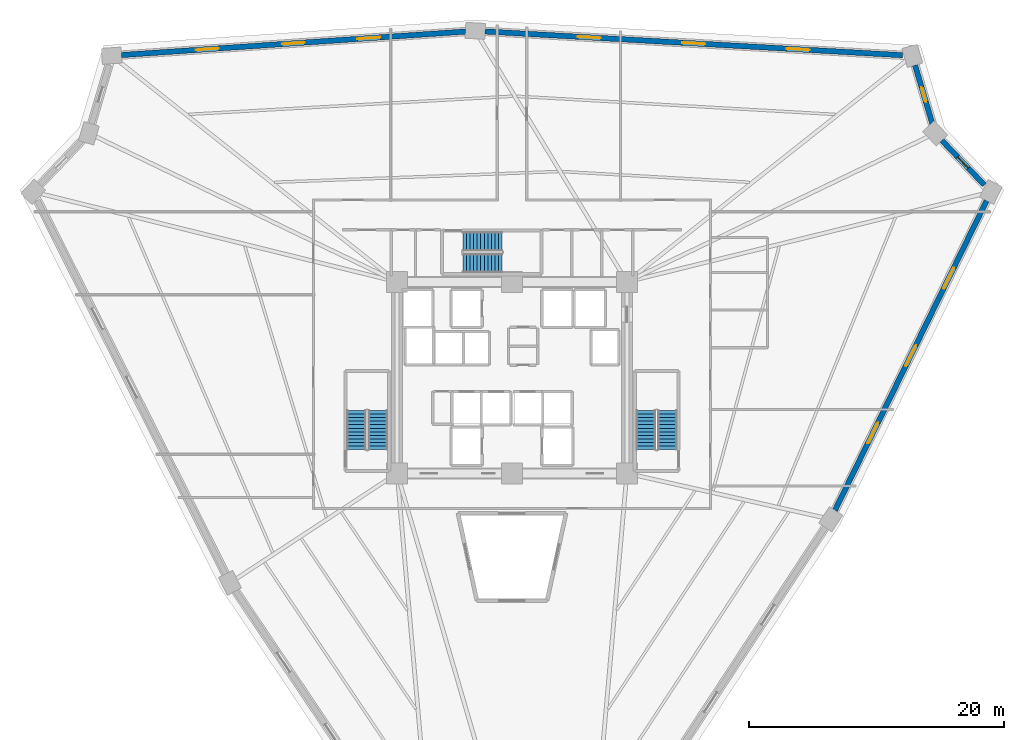
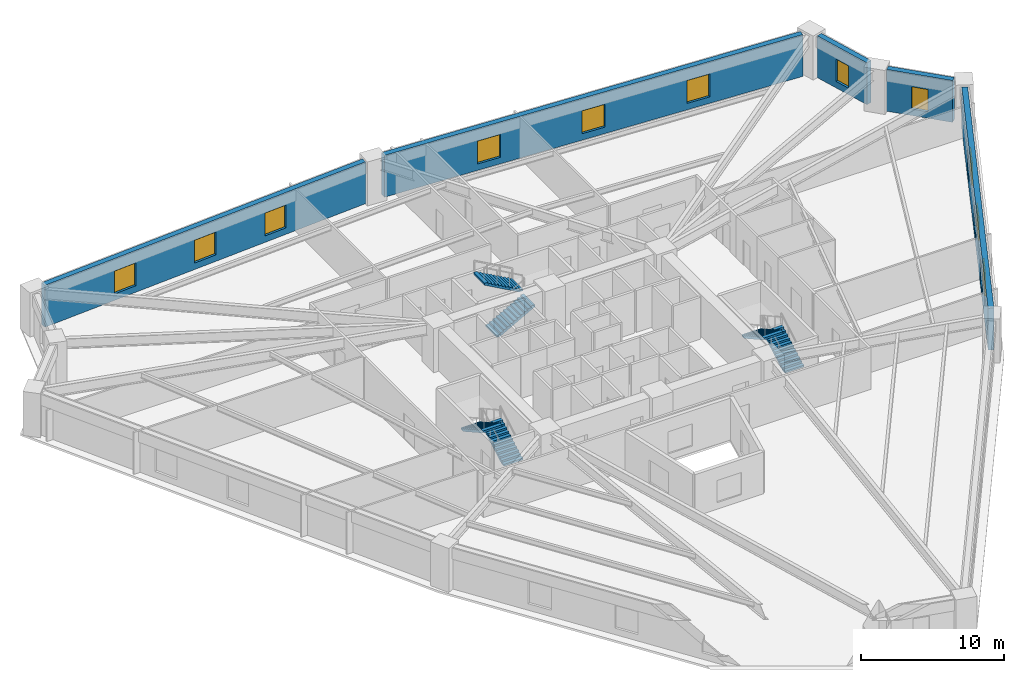
# One storey, part 7 of 8: 11 windows, 6 stair flights, 5 walls, 11 openings, 3 elements without a shape of their own.
"""IFC4 building model written with IfcOpenShell, lengths in metres."""

import ifcopenshell
import ifcopenshell.guid

model = None  # the IFC model being written
_history = None  # IfcOwnerHistory: only IFC2X3 demands one
_inside = {}  # id of a spatial element -> (the spatial element, [elements in it])
_under = {}  # id of a project, library or spatial element -> (it, [spatial elements below it])
_declared = {}  # id of a project -> (the project, [libraries it declares])
_typed = {}  # id of a type object -> (the type object, [elements of that type])
_made_of = {}  # id of a material, layer set ... -> (it, [elements and type objects made of it])


def new_model(schema):
    """Start an empty IFC model of exactly this schema.

    Asked for "IFC4X3", IfcOpenShell would pick the latest addendum, in which some entities
    have other attributes; the version numbers below select the first issue.
    IFC2X3 requires an IfcOwnerHistory on every rooted entity: one is made here for all.
    """
    global model, _history
    if schema == "IFC4X3":
        model = ifcopenshell.file(schema_version=(4, 3, 0, 0))
    else:
        model = ifcopenshell.file(schema=schema)
    _inside.clear()
    _under.clear()
    _declared.clear()
    _typed.clear()
    _made_of.clear()
    _history = None
    if model.schema == "IFC2X3":
        org = make("IfcOrganization", Name="unknown")
        user = make(
            "IfcPersonAndOrganization",
            ThePerson=make("IfcPerson", FamilyName="unknown"),
            TheOrganization=org,
        )
        app = make(
            "IfcApplication",
            ApplicationDeveloper=org,
            Version="unknown",
            ApplicationFullName="unknown",
            ApplicationIdentifier="unknown",
        )
        _history = make(
            "IfcOwnerHistory",
            OwningUser=user,
            OwningApplication=app,
            ChangeAction="ADDED",
            CreationDate=0,
        )
    return model


def make(cls, **values):
    """One entity of the class cls with the attributes given. An attribute that is None is left unset."""
    return model.create_entity(
        cls, **{name: value for name, value in values.items() if value is not None}
    )


def rooted(cls, **values):
    """An entity with a GlobalId (a new one), such as an element, a storey or a relation."""
    return make(cls, GlobalId=ifcopenshell.guid.new(), OwnerHistory=_history, **values)


def si_unit(unit_type, name, prefix=None):
    """IfcSIUnit, for example si_unit("LENGTHUNIT", "METRE", prefix="MILLI")."""
    return make("IfcSIUnit", UnitType=unit_type, Prefix=prefix, Name=name)


def assignment(units):
    """IfcUnitAssignment: the units of a project."""
    return None if units is None else make("IfcUnitAssignment", Units=units)


def point(xyz):
    """IfcCartesianPoint."""
    return None if xyz is None else make("IfcCartesianPoint", Coordinates=xyz)


def direction(xyz):
    """IfcDirection."""
    return None if xyz is None else make("IfcDirection", DirectionRatios=xyz)


def frame(location, z_axis=None, x_axis=None):
    """IfcAxis2Placement3D, a coordinate frame: its origin and axes. An axis left out is left unset."""
    return make(
        "IfcAxis2Placement3D",
        Location=point(location),
        Axis=direction(z_axis),
        RefDirection=direction(x_axis),
    )


def frame_2d(location, x_axis=None):
    """IfcAxis2Placement2D, a coordinate frame in the plane: its origin and x axis."""
    return make(
        "IfcAxis2Placement2D", Location=point(location), RefDirection=direction(x_axis)
    )


def origin():
    """The frame at (0, 0, 0) with its axes left unset."""
    return frame((0.0, 0.0, 0.0))


def place(relative_to, where):
    """IfcLocalPlacement: puts the frame where relative to a parent placement (None: the world)."""
    return make(
        "IfcLocalPlacement", PlacementRelTo=relative_to, RelativePlacement=where
    )


def context(
    kind, dimensions, precision=None, world=None, true_north=None, identifier=None
):
    """IfcGeometricRepresentationContext, for example the 3D "Model" context."""
    return make(
        "IfcGeometricRepresentationContext",
        ContextIdentifier=identifier,
        ContextType=kind,
        CoordinateSpaceDimension=dimensions,
        Precision=precision,
        WorldCoordinateSystem=world,
        TrueNorth=true_north,
    )


def subcontext(parent, identifier, kind, view, scale=None):
    """IfcGeometricRepresentationSubContext, for example "Body" below "Model"."""
    return make(
        "IfcGeometricRepresentationSubContext",
        ContextIdentifier=identifier,
        ContextType=kind,
        ParentContext=parent,
        TargetScale=scale,
        TargetView=view,
    )


def project(units=None, contexts=None):
    """IfcProject with its units and contexts."""
    return rooted(
        "IfcProject",
        Name="project",
        RepresentationContexts=contexts,
        UnitsInContext=assignment(units),
    )


def spatial(cls, under=None, at=None, **own):
    """A site, building, storey or space (cls), placed at a placement, below another one or the project."""
    s = rooted(cls, ObjectPlacement=at, **own)
    if under is not None:
        _under.setdefault(under.id(), (under, []))[1].append(s)
    return s


def polyline(points):
    """IfcPolyline through the points."""
    return make("IfcPolyline", Points=[point(p) for p in points])


def profile(cls, at=None, kind="AREA", **sizes):
    """A parametric profile (cls). Its sizes go by their IFC names, for example OverallWidth=200.0."""
    return make(cls, ProfileType=kind, Position=at, **sizes)


def rectangle(**sizes):
    """IfcRectangleProfileDef."""
    return profile("IfcRectangleProfileDef", **sizes)


def outline(outer, holes=None, kind="AREA"):
    """IfcArbitraryClosedProfileDef: a profile drawn as a closed curve; with holes, ...WithVoids."""
    if holes is None:
        return make("IfcArbitraryClosedProfileDef", ProfileType=kind, OuterCurve=outer)
    return make(
        "IfcArbitraryProfileDefWithVoids",
        ProfileType=kind,
        OuterCurve=outer,
        InnerCurves=holes,
    )


def extrude(swept, where, along, depth):
    """IfcExtrudedAreaSolid: the profile swept, set in the frame where, extruded along a direction by depth."""
    return make(
        "IfcExtrudedAreaSolid",
        SweptArea=swept,
        Position=where,
        ExtrudedDirection=direction(along),
        Depth=depth,
    )


def shape(context_of_items, identifier, shape_type, items):
    """IfcShapeRepresentation: the items that make up one representation, for example the "Body"."""
    return make(
        "IfcShapeRepresentation",
        ContextOfItems=context_of_items,
        RepresentationIdentifier=identifier,
        RepresentationType=shape_type,
        Items=items,
    )


def source(mapping_origin, context_of_items, identifier, shape_type, items):
    """IfcRepresentationMap: a shape defined once, which mapped items show again and again."""
    return make(
        "IfcRepresentationMap",
        MappingOrigin=mapping_origin,
        MappedRepresentation=shape(context_of_items, identifier, shape_type, items),
    )


def transform(
    local_origin,
    x_axis=None,
    y_axis=None,
    z_axis=None,
    scale=None,
    scale2=None,
    scale3=None,
    uniform=True,
):
    """IfcCartesianTransformationOperator3D, or its non-uniform kind. x_axis, y_axis, z_axis: its Axis1, 2, 3."""
    if uniform:
        return make(
            "IfcCartesianTransformationOperator3D",
            Axis1=direction(x_axis),
            Axis2=direction(y_axis),
            LocalOrigin=point(local_origin),
            Scale=scale,
            Axis3=direction(z_axis),
        )
    return make(
        "IfcCartesianTransformationOperator3DnonUniform",
        Axis1=direction(x_axis),
        Axis2=direction(y_axis),
        LocalOrigin=point(local_origin),
        Scale=scale,
        Axis3=direction(z_axis),
        Scale2=scale2,
        Scale3=scale3,
    )


def mapped(mapping_source, mapping_target):
    """IfcMappedItem: shows the shape of a source again, moved by a transform."""
    return make(
        "IfcMappedItem", MappingSource=mapping_source, MappingTarget=mapping_target
    )


def material(Name=None, Category=None):
    """IfcMaterial."""
    return make("IfcMaterial", Name=Name, Category=Category)


def layer(
    of_material, thickness, ventilated=None, Name=None, Category=None, Priority=None
):
    """IfcMaterialLayer: one layer of a wall or slab, of a material (None: an air gap)."""
    return make(
        "IfcMaterialLayer",
        Material=of_material,
        LayerThickness=thickness,
        IsVentilated=ventilated,
        Name=Name,
        Category=Category,
        Priority=Priority,
    )


def layer_set(layers, Name=None):
    """IfcMaterialLayerSet."""
    return make("IfcMaterialLayerSet", MaterialLayers=layers, LayerSetName=Name)


def made_of(thing, what):
    """Note that an element or type object is made of a material, layer set ...; save() writes the relation."""
    if what is not None:
        _made_of.setdefault(what.id(), (what, []))[1].append(thing)
    return thing


def type_object(cls, material=None, **own):
    """A type object (cls), such as IfcWallType, which elements share."""
    return made_of(rooted(cls, **own), material)


def element(
    cls,
    number,
    at=None,
    inside=None,
    cuts=None,
    type_object=None,
    material=None,
    context=None,
    identifier="Body",
    shape_type=None,
    held_by="IfcProductDefinitionShape",
    body=None,
    shapes=None,
    **own,
):
    """One element of the class cls, such as IfcWall. Its Tag is "e" and its number.

    at: its placement. inside: the storey or other place that contains it. cuts: it is an
    opening in that element (IfcRelVoidsElement). A single representation is given by context,
    identifier, shape_type and body (its items); several are given by shapes. held_by: the class
    of the entity that holds the representations. save() writes the other relations.
    """
    e = rooted(cls, Tag="e%d" % number, ObjectPlacement=at, **own)
    if body is not None:
        shapes = [shape(context, identifier, shape_type, body)]
    if shapes is not None:
        e.Representation = make(held_by, Representations=shapes)
    if inside is not None:
        _inside.setdefault(inside.id(), (inside, []))[1].append(e)
    if cuts is not None:
        rooted(
            "IfcRelVoidsElement", RelatingBuildingElement=cuts, RelatedOpeningElement=e
        )
    if type_object is not None:
        _typed.setdefault(type_object.id(), (type_object, []))[1].append(e)
    return made_of(e, material)


def fill(opening, filler):
    """IfcRelFillsElement: the door or window that sits in an opening."""
    return rooted(
        "IfcRelFillsElement",
        RelatingOpeningElement=opening,
        RelatedBuildingElement=filler,
    )


def aggregate(whole, parts):
    """IfcRelAggregates: a whole, such as a stair, and the parts it consists of."""
    return rooted("IfcRelAggregates", RelatingObject=whole, RelatedObjects=parts)


def save(model, path):
    """Write the relations noted so far, then the file.

    IfcRelAggregates (storeys below a building ...), IfcRelContainedInSpatialStructure (elements
    in a storey), IfcRelDefinesByType, IfcRelAssociatesMaterial and IfcRelDeclares: one each for
    every whole, place, type object, material and project.
    """
    for whole, parts in _under.values():
        aggregate(whole, parts)
    for where, things in _inside.values():
        rooted(
            "IfcRelContainedInSpatialStructure",
            RelatedElements=things,
            RelatingStructure=where,
        )
    for kind, things in _typed.values():
        rooted("IfcRelDefinesByType", RelatedObjects=things, RelatingType=kind)
    for what, things in _made_of.values():
        rooted("IfcRelAssociatesMaterial", RelatedObjects=things, RelatingMaterial=what)
    for by, libraries in _declared.values():
        rooted("IfcRelDeclares", RelatingContext=by, RelatedDefinitions=libraries)
    model.write(path)


model = new_model("IFC4")

# Units and contexts
model_context = context("Model", 3, precision=1e-05, world=origin(), true_north=direction((0.0, 1.0)))
body_context = subcontext(model_context, "Body", "Model", "MODEL_VIEW")
ifc_project = project(units=[si_unit("LENGTHUNIT", "METRE"), si_unit("AREAUNIT", "SQUARE_METRE"), si_unit("VOLUMEUNIT", "CUBIC_METRE"), si_unit("PLANEANGLEUNIT", "RADIAN"), si_unit("MASSUNIT", "GRAM", prefix="KILO")], contexts=[model_context])

# Site, building, storey
site_placement = place(None, origin())
site = spatial("IfcSite", under=ifc_project, at=site_placement, CompositionType="ELEMENT")
building_placement = place(site_placement, origin())
building = spatial("IfcBuilding", under=site, at=building_placement, Name="Liaohun Quay Tower", CompositionType="ELEMENT")
storey_placement = place(building_placement, frame((0.0, 0.0, 85.5)))
storey = spatial("IfcBuildingStorey", under=building, at=storey_placement, Name="L22", CompositionType="ELEMENT", Elevation=85.5)

# Wall, openings, windows
ifc_material_1 = material(Name="Precast concrete C50 insulated sandwich", Category="concrete")
ifc_layer = layer(ifc_material_1, 0.419921875, Name="Precast concrete C50 insulated sandwich", Category="concrete")
ifc_layer_set = layer_set([ifc_layer], Name="Precast concrete C50 insulated sandwich")
wall_type = type_object("IfcWallType", Name="WAL-EXT-Z12", PredefinedType="SOLIDWALL", material=ifc_layer_set)
wall_1_placement = place(storey_placement, frame((85.302978515625, 43.593994140625, 0.0), z_axis=(0.0, 0.0, 1.0), x_axis=(0.43984083091, 0.898075744837, 0.0)))
wall_1 = element("IfcWall", 1, at=wall_1_placement, inside=storey, type_object=wall_type, Name="L22 Brutalist Precast Pier Wall 03", PredefinedType="SOLIDWALL", context=body_context, shape_type="SweptSolid", body=[
    extrude(rectangle(XDim=27.0234375, YDim=0.419921875, at=frame_2d((13.51171875, 0.0))), origin(), (0.0, 0.0, 1.0), 3.570068359375),
])
shared_shape_1 = source(origin(), body_context, "Body", "SweptSolid", [
    extrude(rectangle(XDim=1.800048828125, YDim=1.949951171875, at=frame_2d((0.89990234375, 0.97509765625))), frame((0.0, 0.219970703125, 0.0), z_axis=(0.0, -1.0, 0.0), x_axis=(1.0, 0.0, 0.0)), (0.0, 0.0, 1.0), 0.43994140625),
])
opening_1_placement = place(wall_1_placement, frame((5.85595703125, 0.0, 0.550048828125)))
opening_1 = element("IfcOpeningElement", 2, at=opening_1_placement, cuts=wall_1, Name="Opening W01", PredefinedType="OPENING", context=body_context, shape_type="MappedRepresentation", body=[
    mapped(shared_shape_1, transform((0.0, 0.0, 0.0), x_axis=(1.0, 0.0, 0.0), y_axis=(0.0, 1.0, 0.0), z_axis=(0.0, 0.0, 1.0), scale=1.0)),
])
opening_2_placement = place(wall_1_placement, frame((12.612060546875, 0.0, 0.550048828125)))
opening_2 = element("IfcOpeningElement", 3, at=opening_2_placement, cuts=wall_1, Name="Opening W01", PredefinedType="OPENING", context=body_context, shape_type="MappedRepresentation", body=[
    mapped(shared_shape_1, transform((0.0, 0.0, 0.0), x_axis=(1.0, 0.0, 0.0), y_axis=(0.0, 1.0, 0.0), z_axis=(0.0, 0.0, 1.0), scale=1.0)),
])
opening_3_placement = place(wall_1_placement, frame((19.367919921875, 0.0, 0.550048828125)))
opening_3 = element("IfcOpeningElement", 4, at=opening_3_placement, cuts=wall_1, Name="Opening W01", PredefinedType="OPENING", context=body_context, shape_type="MappedRepresentation", body=[
    mapped(shared_shape_1, transform((0.0, 0.0, 0.0), x_axis=(1.0, 0.0, 0.0), y_axis=(0.0, 1.0, 0.0), z_axis=(0.0, 0.0, 1.0), scale=1.0)),
])
ifc_material_2 = material(Name="Triple Low-E argon glazing in thermally broken aluminium", Category="aluminium")
window_type_1 = type_object("IfcWindowType", Name="WIN-PUN-Z1", PartitioningType="DOUBLE_PANEL_VERTICAL", PredefinedType="WINDOW", material=ifc_material_2)
shared_shape_2 = source(origin(), body_context, "Body", "SweptSolid", [
    extrude(rectangle(XDim=1.800048828125, YDim=1.949951171875, at=frame_2d((0.89990234375, 0.97509765625))), frame((0.0, 0.030029296875, 0.0), z_axis=(0.0, -1.0, 0.0), x_axis=(1.0, 0.0, 0.0)), (0.0, 0.0, 1.0), 0.06005859375),
])
window_1_placement = place(opening_1_placement, origin())
window_1 = element("IfcWindow", 5, at=window_1_placement, inside=storey, type_object=window_type_1, Name="L22 Recessed Cold-Climate Punched Window 03-1", OverallHeight=1.949951171875, OverallWidth=1.800048828125, PartitioningType="DOUBLE_PANEL_VERTICAL", PredefinedType="WINDOW", context=body_context, shape_type="MappedRepresentation", body=[
    mapped(shared_shape_2, transform((0.0, 0.0, 0.0), x_axis=(1.0, 0.0, 0.0), y_axis=(0.0, 1.0, 0.0), z_axis=(0.0, 0.0, 1.0), scale=1.0)),
])
fill(opening_1, window_1)
window_2_placement = place(opening_2_placement, origin())
window_2 = element("IfcWindow", 6, at=window_2_placement, inside=storey, type_object=window_type_1, Name="L22 Recessed Cold-Climate Punched Window 03-2", OverallHeight=1.949951171875, OverallWidth=1.800048828125, PartitioningType="DOUBLE_PANEL_VERTICAL", PredefinedType="WINDOW", context=body_context, shape_type="MappedRepresentation", body=[
    mapped(shared_shape_2, transform((0.0, 0.0, 0.0), x_axis=(1.0, 0.0, 0.0), y_axis=(0.0, 1.0, 0.0), z_axis=(0.0, 0.0, 1.0), scale=1.0)),
])
fill(opening_2, window_2)
window_3_placement = place(opening_3_placement, origin())
window_3 = element("IfcWindow", 7, at=window_3_placement, inside=storey, type_object=window_type_1, Name="L22 Recessed Cold-Climate Punched Window 03-3", OverallHeight=1.949951171875, OverallWidth=1.800048828125, PartitioningType="DOUBLE_PANEL_VERTICAL", PredefinedType="WINDOW", context=body_context, shape_type="MappedRepresentation", body=[
    mapped(shared_shape_2, transform((0.0, 0.0, 0.0), x_axis=(1.0, 0.0, 0.0), y_axis=(0.0, 1.0, 0.0), z_axis=(0.0, 0.0, 1.0), scale=1.0)),
])
fill(opening_3, window_3)

# Wall, opening, window
wall_2_placement = place(storey_placement, frame((96.998046875, 69.10400390625, 0.0), z_axis=(0.0, 0.0, 1.0), x_axis=(-0.68945615516, 0.724327419136, 0.0)))
wall_2 = element("IfcWall", 8, at=wall_2_placement, inside=storey, type_object=wall_type, Name="L22 Brutalist Precast Pier Wall 04", PredefinedType="SOLIDWALL", context=body_context, shape_type="SweptSolid", body=[
    extrude(rectangle(XDim=4.809814453125, YDim=0.419921875, at=frame_2d((2.40478515625, 0.0))), origin(), (0.0, 0.0, 1.0), 3.570068359375),
])
shared_shape_3 = source(origin(), body_context, "Body", "SweptSolid", [
    extrude(rectangle(XDim=1.199951171875, YDim=1.89990234375, at=frame_2d((0.60009765625, 0.949951171875))), frame((0.0, 0.219970703125, 0.0), z_axis=(0.0, -1.0, 0.0), x_axis=(1.0, 0.0, 0.0)), (0.0, 0.0, 1.0), 0.43994140625),
])
opening_4_placement = place(wall_2_placement, frame((1.804931640625, 0.0, 0.550048828125)))
opening_4 = element("IfcOpeningElement", 9, at=opening_4_placement, cuts=wall_2, Name="Opening W05", PredefinedType="OPENING", context=body_context, shape_type="MappedRepresentation", body=[
    mapped(shared_shape_3, transform((0.0, 0.0, 0.0), x_axis=(1.0, 0.0, 0.0), y_axis=(0.0, 1.0, 0.0), z_axis=(0.0, 0.0, 1.0), scale=1.0)),
])
ifc_material_3 = material(Name="Triple Low-E corner notch glazing", Category="glass")
window_type_2 = type_object("IfcWindowType", Name="WIN-NOTCH", PartitioningType="SINGLE_PANEL", PredefinedType="WINDOW", material=ifc_material_3)
shared_shape_4 = source(origin(), body_context, "Body", "SweptSolid", [
    extrude(rectangle(XDim=1.199951171875, YDim=1.89990234375, at=frame_2d((0.60009765625, 0.949951171875))), frame((0.0, 0.030029296875, 0.0), z_axis=(0.0, -1.0, 0.0), x_axis=(1.0, 0.0, 0.0)), (0.0, 0.0, 1.0), 0.06005859375),
])
window_4_placement = place(opening_4_placement, origin())
window_4 = element("IfcWindow", 10, at=window_4_placement, inside=storey, type_object=window_type_2, Name="L22 Corner Notch Window W05-04", OverallHeight=1.89990234375, OverallWidth=1.199951171875, PartitioningType="SINGLE_PANEL", PredefinedType="WINDOW", context=body_context, shape_type="MappedRepresentation", body=[
    mapped(shared_shape_4, transform((0.0, 0.0, 0.0), x_axis=(1.0, 0.0, 0.0), y_axis=(0.0, 1.0, 0.0), z_axis=(0.0, 0.0, 1.0), scale=1.0)),
])
fill(opening_4, window_4)

wall_3_placement = place(storey_placement, frame((92.93896484375, 73.8759765625, 0.0), z_axis=(0.0, 0.0, 1.0), x_axis=(-0.28283801754, 0.959167689111, 0.0)))
wall_3 = element("IfcWall", 11, at=wall_3_placement, inside=storey, type_object=wall_type, Name="L22 Brutalist Precast Pier Wall 05", PredefinedType="SOLIDWALL", context=body_context, shape_type="SweptSolid", body=[
    extrude(rectangle(XDim=4.801025390625, YDim=0.419921875, at=frame_2d((2.400390625, 0.0))), origin(), (0.0, 0.0, 1.0), 3.570068359375),
])
opening_5_placement = place(wall_3_placement, frame((1.801025390625, 0.0, 0.550048828125)))
opening_5 = element("IfcOpeningElement", 12, at=opening_5_placement, cuts=wall_3, Name="Opening W05", PredefinedType="OPENING", context=body_context, shape_type="MappedRepresentation", body=[
    mapped(shared_shape_3, transform((0.0, 0.0, 0.0), x_axis=(1.0, 0.0, 0.0), y_axis=(0.0, 1.0, 0.0), z_axis=(0.0, 0.0, 1.0), scale=1.0)),
])
window_5_placement = place(opening_5_placement, origin())
window_5 = element("IfcWindow", 13, at=window_5_placement, inside=storey, type_object=window_type_2, Name="L22 Corner Notch Window W05-05", OverallHeight=1.89990234375, OverallWidth=1.199951171875, PartitioningType="SINGLE_PANEL", PredefinedType="WINDOW", context=body_context, shape_type="MappedRepresentation", body=[
    mapped(shared_shape_4, transform((0.0, 0.0, 0.0), x_axis=(1.0, 0.0, 0.0), y_axis=(0.0, 1.0, 0.0), z_axis=(0.0, 0.0, 1.0), scale=1.0)),
])
fill(opening_5, window_5)

# Wall, openings, windows
wall_4_placement = place(storey_placement, frame((90.60107421875, 79.259033203125, 0.0), z_axis=(0.0, 0.0, 1.0), x_axis=(-0.99837885552, 0.056918018682, 0.0)))
wall_4 = element("IfcWall", 14, at=wall_4_placement, inside=storey, type_object=wall_type, Name="L22 Brutalist Precast Pier Wall 06", PredefinedType="SOLIDWALL", context=body_context, shape_type="SweptSolid", body=[
    extrude(rectangle(XDim=32.766357421875, YDim=0.419921875, at=frame_2d((16.38330078125, 0.0))), origin(), (0.0, 0.0, 1.0), 3.570068359375),
])
opening_6_placement = place(wall_4_placement, frame((7.2919921875, 0.0, 0.550048828125)))
opening_6 = element("IfcOpeningElement", 15, at=opening_6_placement, cuts=wall_4, Name="Opening W01", PredefinedType="OPENING", context=body_context, shape_type="MappedRepresentation", body=[
    mapped(shared_shape_1, transform((0.0, 0.0, 0.0), x_axis=(1.0, 0.0, 0.0), y_axis=(0.0, 1.0, 0.0), z_axis=(0.0, 0.0, 1.0), scale=1.0)),
])
opening_7_placement = place(wall_4_placement, frame((15.48291015625, 0.0, 0.550048828125)))
opening_7 = element("IfcOpeningElement", 16, at=opening_7_placement, cuts=wall_4, Name="Opening W01", PredefinedType="OPENING", context=body_context, shape_type="MappedRepresentation", body=[
    mapped(shared_shape_1, transform((0.0, 0.0, 0.0), x_axis=(1.0, 0.0, 0.0), y_axis=(0.0, 1.0, 0.0), z_axis=(0.0, 0.0, 1.0), scale=1.0)),
])
opening_8_placement = place(wall_4_placement, frame((23.675048828125, 0.0, 0.550048828125)))
opening_8 = element("IfcOpeningElement", 17, at=opening_8_placement, cuts=wall_4, Name="Opening W01", PredefinedType="OPENING", context=body_context, shape_type="MappedRepresentation", body=[
    mapped(shared_shape_1, transform((0.0, 0.0, 0.0), x_axis=(1.0, 0.0, 0.0), y_axis=(0.0, 1.0, 0.0), z_axis=(0.0, 0.0, 1.0), scale=1.0)),
])
window_6_placement = place(opening_6_placement, origin())
window_6 = element("IfcWindow", 18, at=window_6_placement, inside=storey, type_object=window_type_1, Name="L22 Recessed Cold-Climate Punched Window 06-1", OverallHeight=1.949951171875, OverallWidth=1.800048828125, PartitioningType="DOUBLE_PANEL_VERTICAL", PredefinedType="WINDOW", context=body_context, shape_type="MappedRepresentation", body=[
    mapped(shared_shape_2, transform((0.0, 0.0, 0.0), x_axis=(1.0, 0.0, 0.0), y_axis=(0.0, 1.0, 0.0), z_axis=(0.0, 0.0, 1.0), scale=1.0)),
])
fill(opening_6, window_6)
window_7_placement = place(opening_7_placement, origin())
window_7 = element("IfcWindow", 19, at=window_7_placement, inside=storey, type_object=window_type_1, Name="L22 Recessed Cold-Climate Punched Window 06-2", OverallHeight=1.949951171875, OverallWidth=1.800048828125, PartitioningType="DOUBLE_PANEL_VERTICAL", PredefinedType="WINDOW", context=body_context, shape_type="MappedRepresentation", body=[
    mapped(shared_shape_2, transform((0.0, 0.0, 0.0), x_axis=(1.0, 0.0, 0.0), y_axis=(0.0, 1.0, 0.0), z_axis=(0.0, 0.0, 1.0), scale=1.0)),
])
fill(opening_7, window_7)
window_8_placement = place(opening_8_placement, origin())
window_8 = element("IfcWindow", 20, at=window_8_placement, inside=storey, type_object=window_type_1, Name="L22 Recessed Cold-Climate Punched Window 06-3", OverallHeight=1.949951171875, OverallWidth=1.800048828125, PartitioningType="DOUBLE_PANEL_VERTICAL", PredefinedType="WINDOW", context=body_context, shape_type="MappedRepresentation", body=[
    mapped(shared_shape_2, transform((0.0, 0.0, 0.0), x_axis=(1.0, 0.0, 0.0), y_axis=(0.0, 1.0, 0.0), z_axis=(0.0, 0.0, 1.0), scale=1.0)),
])
fill(opening_8, window_8)

wall_5_placement = place(storey_placement, frame((56.361083984375, 81.115966796875, 0.0), z_axis=(0.0, 0.0, 1.0), x_axis=(-0.997674193577, -0.068163065302, 0.0)))
wall_5 = element("IfcWall", 21, at=wall_5_placement, inside=storey, type_object=wall_type, Name="L22 Brutalist Precast Pier Wall 07", PredefinedType="SOLIDWALL", context=body_context, shape_type="SweptSolid", body=[
    extrude(rectangle(XDim=27.02392578125, YDim=0.419921875, at=frame_2d((13.511962890625, 0.0))), origin(), (0.0, 0.0, 1.0), 3.570068359375),
])
opening_9_placement = place(wall_5_placement, frame((6.7060546875, 0.0, 0.550048828125)))
opening_9 = element("IfcOpeningElement", 22, at=opening_9_placement, cuts=wall_5, Name="Opening W01", PredefinedType="OPENING", context=body_context, shape_type="MappedRepresentation", body=[
    mapped(shared_shape_1, transform((0.0, 0.0, 0.0), x_axis=(1.0, 0.0, 0.0), y_axis=(0.0, 1.0, 0.0), z_axis=(0.0, 0.0, 1.0), scale=1.0)),
])
opening_10_placement = place(wall_5_placement, frame((12.612060546875, 0.0, 0.550048828125)))
opening_10 = element("IfcOpeningElement", 23, at=opening_10_placement, cuts=wall_5, Name="Opening W01", PredefinedType="OPENING", context=body_context, shape_type="MappedRepresentation", body=[
    mapped(shared_shape_1, transform((0.0, 0.0, 0.0), x_axis=(1.0, 0.0, 0.0), y_axis=(0.0, 1.0, 0.0), z_axis=(0.0, 0.0, 1.0), scale=1.0)),
])
opening_11_placement = place(wall_5_placement, frame((19.367919921875, 0.0, 0.550048828125)))
opening_11 = element("IfcOpeningElement", 24, at=opening_11_placement, cuts=wall_5, Name="Opening W01", PredefinedType="OPENING", context=body_context, shape_type="MappedRepresentation", body=[
    mapped(shared_shape_1, transform((0.0, 0.0, 0.0), x_axis=(1.0, 0.0, 0.0), y_axis=(0.0, 1.0, 0.0), z_axis=(0.0, 0.0, 1.0), scale=1.0)),
])
window_9_placement = place(opening_9_placement, origin())
window_9 = element("IfcWindow", 25, at=window_9_placement, inside=storey, type_object=window_type_1, Name="L22 Recessed Cold-Climate Punched Window 07-1", OverallHeight=1.949951171875, OverallWidth=1.800048828125, PartitioningType="DOUBLE_PANEL_VERTICAL", PredefinedType="WINDOW", context=body_context, shape_type="MappedRepresentation", body=[
    mapped(shared_shape_2, transform((0.0, 0.0, 0.0), x_axis=(1.0, 0.0, 0.0), y_axis=(0.0, 1.0, 0.0), z_axis=(0.0, 0.0, 1.0), scale=1.0)),
])
fill(opening_9, window_9)
window_10_placement = place(opening_10_placement, origin())
window_10 = element("IfcWindow", 26, at=window_10_placement, inside=storey, type_object=window_type_1, Name="L22 Recessed Cold-Climate Punched Window 07-2", OverallHeight=1.949951171875, OverallWidth=1.800048828125, PartitioningType="DOUBLE_PANEL_VERTICAL", PredefinedType="WINDOW", context=body_context, shape_type="MappedRepresentation", body=[
    mapped(shared_shape_2, transform((0.0, 0.0, 0.0), x_axis=(1.0, 0.0, 0.0), y_axis=(0.0, 1.0, 0.0), z_axis=(0.0, 0.0, 1.0), scale=1.0)),
])
fill(opening_10, window_10)
window_11_placement = place(opening_11_placement, origin())
window_11 = element("IfcWindow", 27, at=window_11_placement, inside=storey, type_object=window_type_1, Name="L22 Recessed Cold-Climate Punched Window 07-3", OverallHeight=1.949951171875, OverallWidth=1.800048828125, PartitioningType="DOUBLE_PANEL_VERTICAL", PredefinedType="WINDOW", context=body_context, shape_type="MappedRepresentation", body=[
    mapped(shared_shape_2, transform((0.0, 0.0, 0.0), x_axis=(1.0, 0.0, 0.0), y_axis=(0.0, 1.0, 0.0), z_axis=(0.0, 0.0, 1.0), scale=1.0)),
])
fill(opening_11, window_11)

# Stair, stair flights
ifc_material_4 = material(Name="Concrete C45", Category="concrete")
stair_type = type_object("IfcStairType", Name="STR-CORE-OFF", PredefinedType="HALF_TURN_STAIR", material=ifc_material_4)
stair_1_placement = place(storey_placement, origin())
stair_1 = element("IfcStair", 28, at=stair_1_placement, inside=storey, type_object=stair_type, Name="L22 Smokeproof Core Exit Stair ST-1", PredefinedType="HALF_TURN_STAIR")
stair_flight_type = type_object("IfcStairFlightType", Name="FLT-CORE-155", PredefinedType="STRAIGHT", material=ifc_material_4)
stair_flight_1_placement = place(storey_placement, frame((49.5048828125, 48.35009765625, 0.0), z_axis=(0.0, 0.0, 1.0), x_axis=(0.0, 1.0, 0.0)))
stair_flight_1 = element("IfcStairFlight", 29, at=stair_flight_1_placement, type_object=stair_flight_type, Name="ST-1 flight 1", NumberOfRisers=12, NumberOfTreads=11, PredefinedType="STRAIGHT", RiserHeight=0.15625, TreadLength=0.28, context=body_context, shape_type="SweptSolid", body=[
    extrude(outline(polyline([(0.0, 0.0), (0.0, 0.15625), (0.280029296875, 0.15625), (0.280029296875, 0.3125), (0.56005859375, 0.3125), (0.56005859375, 0.46875), (0.840087890625, 0.46875), (0.840087890625, 0.625), (1.1201171875, 0.625), (1.1201171875, 0.78125), (1.39990234375, 0.78125), (1.39990234375, 0.9375), (1.679931640625, 0.9375), (1.679931640625, 1.09375), (1.9599609375, 1.09375), (1.9599609375, 1.25), (2.239990234375, 1.25), (2.239990234375, 1.40625), (2.52001953125, 1.40625), (2.52001953125, 1.5625), (2.800048828125, 1.5625), (2.800048828125, 1.71875), (3.080078125, 1.71875), (3.080078125, 1.875), (3.080078125, 1.547119140625), (0.3076171875, 0.0), (0.0, 0.0)])), frame((0.0, 0.77490234375, 0.0), z_axis=(0.0, -1.0, 0.0), x_axis=(1.0, 0.0, 0.0)), (0.0, 0.0, 1.0), 1.550048828125),
])
stair_flight_2_placement = place(storey_placement, frame((47.81494140625, 51.429931640625, 1.875), z_axis=(0.0, 0.0, 1.0), x_axis=(0.0, -1.0, 0.0)))
stair_flight_2 = element("IfcStairFlight", 30, at=stair_flight_2_placement, type_object=stair_flight_type, Name="ST-1 flight 2", NumberOfRisers=12, NumberOfTreads=11, PredefinedType="STRAIGHT", RiserHeight=0.15625, TreadLength=0.28, context=body_context, shape_type="SweptSolid", body=[
    extrude(outline(polyline([(0.0, 0.0), (0.0, 0.15625), (0.280029296875, 0.15625), (0.280029296875, 0.3125), (0.56005859375, 0.3125), (0.56005859375, 0.46875), (0.840087890625, 0.46875), (0.840087890625, 0.625), (1.1201171875, 0.625), (1.1201171875, 0.78125), (1.39990234375, 0.78125), (1.39990234375, 0.9375), (1.679931640625, 0.9375), (1.679931640625, 1.09375), (1.9599609375, 1.09375), (1.9599609375, 1.25), (2.239990234375, 1.25), (2.239990234375, 1.40625), (2.52001953125, 1.40625), (2.52001953125, 1.5625), (2.800048828125, 1.5625), (2.800048828125, 1.71875), (3.080078125, 1.71875), (3.080078125, 1.875), (3.080078125, 1.547119140625), (0.3076171875, 0.0), (0.0, 0.0)])), frame((0.0, 0.77490234375, 0.0), z_axis=(0.0, -1.0, 0.0), x_axis=(1.0, 0.0, 0.0)), (0.0, 0.0, 1.0), 1.550048828125),
])
aggregate(stair_1, [stair_flight_1, stair_flight_2])

stair_2_placement = place(storey_placement, origin())
stair_2 = element("IfcStair", 31, at=stair_2_placement, inside=storey, type_object=stair_type, Name="L22 Smokeproof Core Exit Stair ST-2", PredefinedType="HALF_TURN_STAIR")
stair_flight_3_placement = place(storey_placement, frame((72.18505859375, 48.35009765625, 0.0), z_axis=(0.0, 0.0, 1.0), x_axis=(0.0, 1.0, 0.0)))
stair_flight_3 = element("IfcStairFlight", 32, at=stair_flight_3_placement, type_object=stair_flight_type, Name="ST-2 flight 1", NumberOfRisers=12, NumberOfTreads=11, PredefinedType="STRAIGHT", RiserHeight=0.15625, TreadLength=0.28, context=body_context, shape_type="SweptSolid", body=[
    extrude(outline(polyline([(0.0, 0.0), (0.0, 0.15625), (0.280029296875, 0.15625), (0.280029296875, 0.3125), (0.56005859375, 0.3125), (0.56005859375, 0.46875), (0.840087890625, 0.46875), (0.840087890625, 0.625), (1.1201171875, 0.625), (1.1201171875, 0.78125), (1.39990234375, 0.78125), (1.39990234375, 0.9375), (1.679931640625, 0.9375), (1.679931640625, 1.09375), (1.9599609375, 1.09375), (1.9599609375, 1.25), (2.239990234375, 1.25), (2.239990234375, 1.40625), (2.52001953125, 1.40625), (2.52001953125, 1.5625), (2.800048828125, 1.5625), (2.800048828125, 1.71875), (3.080078125, 1.71875), (3.080078125, 1.875), (3.080078125, 1.547119140625), (0.3076171875, 0.0), (0.0, 0.0)])), frame((0.0, 0.77490234375, 0.0), z_axis=(0.0, -1.0, 0.0), x_axis=(1.0, 0.0, 0.0)), (0.0, 0.0, 1.0), 1.550048828125),
])
stair_flight_4_placement = place(storey_placement, frame((70.4951171875, 51.429931640625, 1.875), z_axis=(0.0, 0.0, 1.0), x_axis=(0.0, -1.0, 0.0)))
stair_flight_4 = element("IfcStairFlight", 33, at=stair_flight_4_placement, type_object=stair_flight_type, Name="ST-2 flight 2", NumberOfRisers=12, NumberOfTreads=11, PredefinedType="STRAIGHT", RiserHeight=0.15625, TreadLength=0.28, context=body_context, shape_type="SweptSolid", body=[
    extrude(outline(polyline([(0.0, 0.0), (0.0, 0.15625), (0.280029296875, 0.15625), (0.280029296875, 0.3125), (0.56005859375, 0.3125), (0.56005859375, 0.46875), (0.840087890625, 0.46875), (0.840087890625, 0.625), (1.1201171875, 0.625), (1.1201171875, 0.78125), (1.39990234375, 0.78125), (1.39990234375, 0.9375), (1.679931640625, 0.9375), (1.679931640625, 1.09375), (1.9599609375, 1.09375), (1.9599609375, 1.25), (2.239990234375, 1.25), (2.239990234375, 1.40625), (2.52001953125, 1.40625), (2.52001953125, 1.5625), (2.800048828125, 1.5625), (2.800048828125, 1.71875), (3.080078125, 1.71875), (3.080078125, 1.875), (3.080078125, 1.547119140625), (0.3076171875, 0.0), (0.0, 0.0)])), frame((0.0, 0.77490234375, 0.0), z_axis=(0.0, -1.0, 0.0), x_axis=(1.0, 0.0, 0.0)), (0.0, 0.0, 1.0), 1.550048828125),
])
aggregate(stair_2, [stair_flight_3, stair_flight_4])

stair_3_placement = place(storey_placement, origin())
stair_3 = element("IfcStair", 34, at=stair_3_placement, inside=storey, type_object=stair_type, Name="L22 Smokeproof Core Exit Stair ST-3", PredefinedType="HALF_TURN_STAIR")
stair_flight_5_placement = place(storey_placement, frame((56.14990234375, 62.97509765625, 0.0), z_axis=(0.0, 0.0, 1.0), x_axis=(1.0, 0.0, 0.0)))
stair_flight_5 = element("IfcStairFlight", 35, at=stair_flight_5_placement, type_object=stair_flight_type, Name="ST-3 flight 1", NumberOfRisers=12, NumberOfTreads=11, PredefinedType="STRAIGHT", RiserHeight=0.15625, TreadLength=0.28, context=body_context, shape_type="SweptSolid", body=[
    extrude(outline(polyline([(0.0, 0.0), (0.0, 0.15625), (0.280029296875, 0.15625), (0.280029296875, 0.3125), (0.56005859375, 0.3125), (0.56005859375, 0.46875), (0.840087890625, 0.46875), (0.840087890625, 0.625), (1.1201171875, 0.625), (1.1201171875, 0.78125), (1.39990234375, 0.78125), (1.39990234375, 0.9375), (1.679931640625, 0.9375), (1.679931640625, 1.09375), (1.9599609375, 1.09375), (1.9599609375, 1.25), (2.239990234375, 1.25), (2.239990234375, 1.40625), (2.52001953125, 1.40625), (2.52001953125, 1.5625), (2.800048828125, 1.5625), (2.800048828125, 1.71875), (3.080078125, 1.71875), (3.080078125, 1.875), (3.080078125, 1.547119140625), (0.3076171875, 0.0), (0.0, 0.0)])), frame((0.0, 0.77490234375, 0.0), z_axis=(0.0, -1.0, 0.0), x_axis=(1.0, 0.0, 0.0)), (0.0, 0.0, 1.0), 1.550048828125),
])
stair_flight_6_placement = place(storey_placement, frame((59.22998046875, 64.6650390625, 1.875), z_axis=(0.0, 0.0, 1.0), x_axis=(-1.0, 0.0, 0.0)))
stair_flight_6 = element("IfcStairFlight", 36, at=stair_flight_6_placement, type_object=stair_flight_type, Name="ST-3 flight 2", NumberOfRisers=12, NumberOfTreads=11, PredefinedType="STRAIGHT", RiserHeight=0.15625, TreadLength=0.28, context=body_context, shape_type="SweptSolid", body=[
    extrude(outline(polyline([(0.0, 0.0), (0.0, 0.15625), (0.280029296875, 0.15625), (0.280029296875, 0.3125), (0.56005859375, 0.3125), (0.56005859375, 0.46875), (0.840087890625, 0.46875), (0.840087890625, 0.625), (1.1201171875, 0.625), (1.1201171875, 0.78125), (1.39990234375, 0.78125), (1.39990234375, 0.9375), (1.679931640625, 0.9375), (1.679931640625, 1.09375), (1.9599609375, 1.09375), (1.9599609375, 1.25), (2.239990234375, 1.25), (2.239990234375, 1.40625), (2.52001953125, 1.40625), (2.52001953125, 1.5625), (2.800048828125, 1.5625), (2.800048828125, 1.71875), (3.080078125, 1.71875), (3.080078125, 1.875), (3.080078125, 1.547119140625), (0.3076171875, 0.0), (0.0, 0.0)])), frame((0.0, 0.77490234375, 0.0), z_axis=(0.0, -1.0, 0.0), x_axis=(1.0, 0.0, 0.0)), (0.0, 0.0, 1.0), 1.550048828125),
])
aggregate(stair_3, [stair_flight_5, stair_flight_6])

save(model, "model.ifc")
